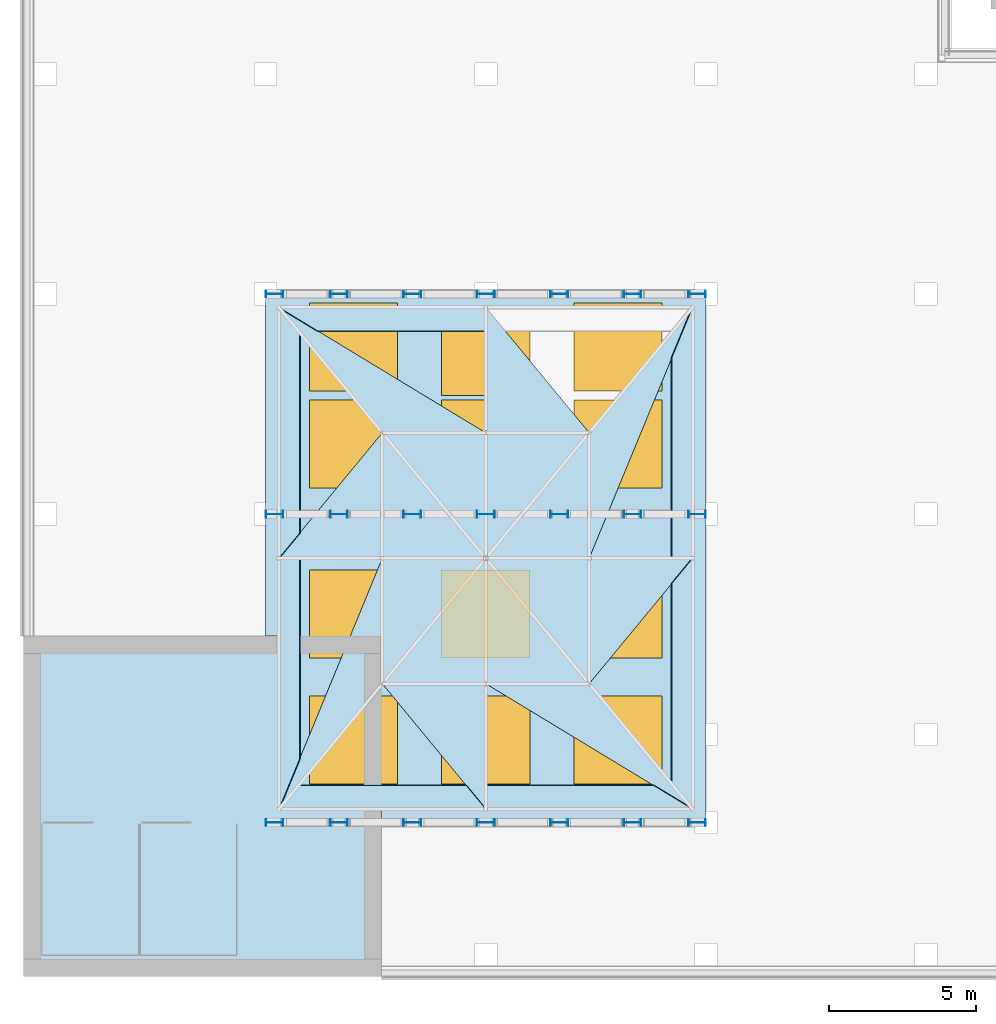
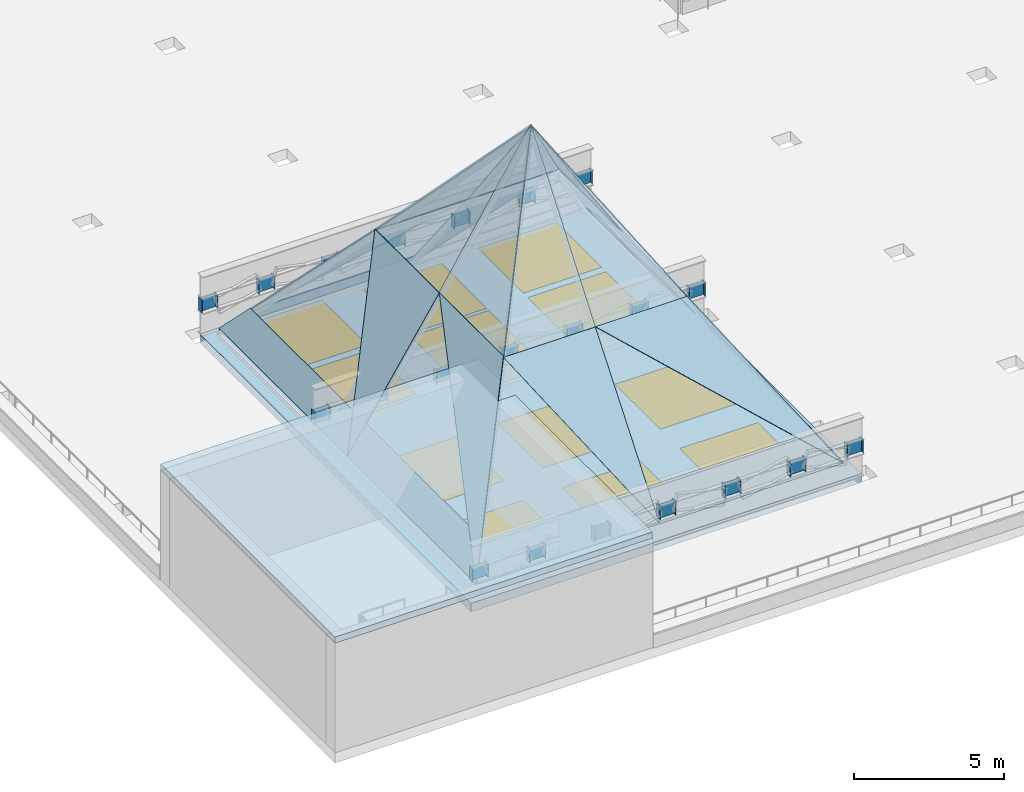
# One storey, part 11 of 35: 30 plates, 21 members, 12 windows, 2 slabs, 12 openings.
"""IFC4 building model written with IfcOpenShell, lengths in metres."""

from ifc_helpers import new_model, si_unit, direction, frame, origin, origin_2d, place, context, subcontext, project, spatial, polyline, rectangle, i_section, outline, extrude, material, layer, layer_set, material_profile, profile_set, type_object, element, fill, save


model = new_model("IFC4")

# Units and contexts
model_context = context("Model", 3, precision=1e-05, world=origin(), true_north=direction((0.0, 1.0)))
body_context = subcontext(model_context, "Body", "Model", "MODEL_VIEW")
ifc_project = project(units=[si_unit("LENGTHUNIT", "METRE"), si_unit("AREAUNIT", "SQUARE_METRE"), si_unit("VOLUMEUNIT", "CUBIC_METRE"), si_unit("PLANEANGLEUNIT", "RADIAN"), si_unit("MASSUNIT", "GRAM", prefix="KILO")], contexts=[model_context])

# Site, building, storey
site_placement = place(None, origin())
site = spatial("IfcSite", under=ifc_project, at=site_placement, CompositionType="ELEMENT")
building_placement = place(site_placement, origin())
building = spatial("IfcBuilding", under=site, at=building_placement, Name="Tessera Arch", CompositionType="ELEMENT")
storey_placement = place(building_placement, frame((0.0, 0.0, 26.0)))
storey = spatial("IfcBuildingStorey", under=building, at=storey_placement, Name="L04", CompositionType="ELEMENT", Elevation=26.0)

# Members
ifc_material_1 = material(Name="Steel A992 Gr50", Category="steel")
ifc_material_profile = material_profile(ifc_material_1, i_section(OverallWidth=0.228271484375, OverallDepth=0.607177734375, WebThickness=0.01123046875, FlangeThickness=0.017333984375, at=origin_2d()), Name="W24x76")
ifc_profile_set = profile_set([ifc_material_profile], Name="Steel A992 Gr50")
member_type = type_object("IfcMemberType", Name="Museum truss post W24x76 Steel A992 Gr50", PredefinedType="POST", material=ifc_profile_set)
for number, where, z_axis, x_axis, name in (
    (1, (-23.99658203125, -27.300048828125, 0.927001953125), (0.0, 0.0, 1.0), (0.0, 1.0, 0.0), "Museum truss A1 post 1"),
    (2, (-21.800048828125, -27.300048828125, 0.927001953125), (0.0, 0.0, 1.0), (0.0, 1.0, 0.0), "Museum truss A1 post 2"),
    (3, (-19.300048828125, -27.300048828125, 0.927001953125), (0.0, 0.0, 1.0), (0.0, 1.0, 0.0), "Museum truss A1 post 3"),
    (4, (-16.800048828125, -27.300048828125, 0.927001953125), (0.0, 0.0, 1.0), (0.0, 1.0, 0.0), "Museum truss A1 post 4"),
    (5, (-14.300048828125, -27.300048828125, 0.927001953125), (0.0, 0.0, 1.0), (0.0, 1.0, 0.0), "Museum truss A1 post 5"),
    (6, (-11.800048828125, -27.300048828125, 0.927001953125), (0.0, 0.0, 1.0), (0.0, 1.0, 0.0), "Museum truss A1 post 6"),
    (7, (-9.603515625, -27.300048828125, 0.927001953125), (0.0, 0.0, 1.0), (0.0, 1.0, 0.0), "Museum truss A1 post 7"),
    (8, (-23.99658203125, -16.800048828125, 0.927001953125), (0.0, 0.0, 1.0), (0.0, 1.0, 0.0), "Museum truss A2 post 1"),
    (9, (-21.800048828125, -16.800048828125, 0.927001953125), (0.0, 0.0, 1.0), (0.0, 1.0, 0.0), "Museum truss A2 post 2"),
    (10, (-19.300048828125, -16.800048828125, 0.927001953125), (0.0, 0.0, 1.0), (0.0, 1.0, 0.0), "Museum truss A2 post 3"),
    (11, (-16.800048828125, -16.800048828125, 0.927001953125), (0.0, 0.0, 1.0), (0.0, 1.0, 0.0), "Museum truss A2 post 4"),
    (12, (-14.300048828125, -16.800048828125, 0.927001953125), (0.0, 0.0, 1.0), (0.0, 1.0, 0.0), "Museum truss A2 post 5"),
    (13, (-11.800048828125, -16.800048828125, 0.927001953125), (0.0, 0.0, 1.0), (0.0, 1.0, 0.0), "Museum truss A2 post 6"),
    (14, (-9.603515625, -16.800048828125, 0.927001953125), (0.0, 0.0, 1.0), (0.0, 1.0, 0.0), "Museum truss A2 post 7"),
    (15, (-23.99658203125, -9.300048828125, 0.927001953125), (0.0, 0.0, 1.0), (0.0, 1.0, 0.0), "Museum truss A3 post 1"),
    (16, (-21.800048828125, -9.300048828125, 0.927001953125), (0.0, 0.0, 1.0), (0.0, 1.0, 0.0), "Museum truss A3 post 2"),
    (17, (-19.300048828125, -9.300048828125, 0.927001953125), (0.0, 0.0, 1.0), (0.0, 1.0, 0.0), "Museum truss A3 post 3"),
    (18, (-16.800048828125, -9.300048828125, 0.927001953125), (0.0, 0.0, 1.0), (0.0, 1.0, 0.0), "Museum truss A3 post 4"),
    (19, (-14.300048828125, -9.300048828125, 0.927001953125), (0.0, 0.0, 1.0), (0.0, 1.0, 0.0), "Museum truss A3 post 5"),
    (20, (-11.800048828125, -9.300048828125, 0.927001953125), (0.0, 0.0, 1.0), (0.0, 1.0, 0.0), "Museum truss A3 post 6"),
    (21, (-9.603515625, -9.300048828125, 0.927001953125), (0.0, 0.0, 1.0), (0.0, 1.0, 0.0), "Museum truss A3 post 7"),
):
    element("IfcMember", number, at=place(storey_placement, frame(where, z_axis=z_axis, x_axis=x_axis)), inside=storey, type_object=member_type, Name=name, PredefinedType="POST", context=body_context, shape_type="SweptSolid", body=[
        extrude(i_section(OverallWidth=0.228271484375, OverallDepth=0.607177734375, WebThickness=0.01123046875, FlangeThickness=0.017333984375, at=origin_2d()), origin(), (0.0, 0.0, 1.0), 0.5458984375),
    ])

# Slab
ifc_material_2 = material(Name="Concrete C40/50", Category="concrete")
ifc_layer_1 = layer(ifc_material_2, 0.25)
ifc_layer_set_1 = layer_set([ifc_layer_1], Name="Museum core roof slab 250 Concrete C40/50")
slab_type_1 = type_object("IfcSlabType", Name="Museum core roof slab 250 Concrete C40/50", PredefinedType="ROOF", material=ifc_layer_set_1)
slab_1_placement = place(storey_placement, frame((0.0, 0.0, 4.449951171875)))
element("IfcSlab", 22, at=slab_1_placement, inside=storey, type_object=slab_type_1, Name="Museum core roof slab M2", PredefinedType="ROOF", context=body_context, shape_type="SweptSolid", body=[
    extrude(outline(polyline([(-32.550048828125, -32.550048828125), (-20.35009765625, -32.550048828125), (-20.35009765625, -20.949951171875), (-32.550048828125, -20.949951171875), (-32.550048828125, -32.550048828125)])), origin(), (0.0, 0.0, 1.0), 0.25),
])

# Slab, openings, windows
ifc_material_3 = material(Name="Concrete C40/50", Category="concrete")
ifc_layer_2 = layer(ifc_material_3, 0.35009765625)
ifc_layer_set_2 = layer_set([ifc_layer_2], Name="Museum rooflight deck")
slab_type_2 = type_object("IfcSlabType", Name="Museum rooflight deck", PredefinedType="ROOF", material=ifc_layer_set_2)
slab_2_placement = place(storey_placement, frame((0.0, 0.0, -0.35009765625)))
slab_2 = element("IfcSlab", 23, at=slab_2_placement, inside=storey, type_object=slab_type_2, Name="Atrium rooflight deck", PredefinedType="ROOF", context=body_context, shape_type="SweptSolid", body=[
    extrude(outline(polyline([(-24.300048828125, -27.300048828125), (-9.300048828125, -27.300048828125), (-9.300048828125, -9.300048828125), (-24.300048828125, -9.300048828125), (-24.300048828125, -27.300048828125)])), origin(), (0.0, 0.0, 1.0), 0.35009765625),
])
opening_1_placement = place(slab_2_placement, frame((-21.300048828125, -24.5, 0.0)))
opening_1 = element("IfcOpeningElement", 24, at=opening_1_placement, cuts=slab_2, Name="Opening L04-RLA01", PredefinedType="OPENING", context=body_context, shape_type="SweptSolid", body=[
    extrude(rectangle(XDim=3.0, YDim=3.0, at=origin_2d()), frame((0.0, 0.0, -0.010009765625)), (0.0, 0.0, 1.0), 0.3701171875),
])
opening_2_placement = place(slab_2_placement, frame((-21.300048828125, -20.199951171875, 0.0)))
opening_2 = element("IfcOpeningElement", 25, at=opening_2_placement, cuts=slab_2, Name="Opening L04-RLA02", PredefinedType="OPENING", context=body_context, shape_type="SweptSolid", body=[
    extrude(rectangle(XDim=3.0, YDim=3.0, at=origin_2d()), frame((0.0, 0.0, -0.010009765625)), (0.0, 0.0, 1.0), 0.3701171875),
])
opening_3_placement = place(slab_2_placement, frame((-21.300048828125, -14.39990234375, 0.0)))
opening_3 = element("IfcOpeningElement", 26, at=opening_3_placement, cuts=slab_2, Name="Opening L04-RLA03", PredefinedType="OPENING", context=body_context, shape_type="SweptSolid", body=[
    extrude(rectangle(XDim=3.0, YDim=3.0, at=origin_2d()), frame((0.0, 0.0, -0.010009765625)), (0.0, 0.0, 1.0), 0.3701171875),
])
opening_4_placement = place(slab_2_placement, frame((-21.300048828125, -11.10009765625, 0.0)))
opening_4 = element("IfcOpeningElement", 27, at=opening_4_placement, cuts=slab_2, Name="Opening L04-RLA04", PredefinedType="OPENING", context=body_context, shape_type="SweptSolid", body=[
    extrude(rectangle(XDim=3.0, YDim=3.0, at=origin_2d()), frame((0.0, 0.0, -0.010009765625)), (0.0, 0.0, 1.0), 0.3701171875),
])
opening_5_placement = place(slab_2_placement, frame((-16.800048828125, -24.5, 0.0)))
opening_5 = element("IfcOpeningElement", 28, at=opening_5_placement, cuts=slab_2, Name="Opening L04-RLA05", PredefinedType="OPENING", context=body_context, shape_type="SweptSolid", body=[
    extrude(rectangle(XDim=3.0, YDim=3.0, at=origin_2d()), frame((0.0, 0.0, -0.010009765625)), (0.0, 0.0, 1.0), 0.3701171875),
])
opening_6_placement = place(slab_2_placement, frame((-16.800048828125, -20.199951171875, 0.0)))
opening_6 = element("IfcOpeningElement", 29, at=opening_6_placement, cuts=slab_2, Name="Opening L04-RLA06", PredefinedType="OPENING", context=body_context, shape_type="SweptSolid", body=[
    extrude(rectangle(XDim=3.0, YDim=3.0, at=origin_2d()), frame((0.0, 0.0, -0.010009765625)), (0.0, 0.0, 1.0), 0.3701171875),
])
opening_7_placement = place(slab_2_placement, frame((-16.800048828125, -14.39990234375, 0.0)))
opening_7 = element("IfcOpeningElement", 30, at=opening_7_placement, cuts=slab_2, Name="Opening L04-RLA07", PredefinedType="OPENING", context=body_context, shape_type="SweptSolid", body=[
    extrude(rectangle(XDim=3.0, YDim=3.0, at=origin_2d()), frame((0.0, 0.0, -0.010009765625)), (0.0, 0.0, 1.0), 0.3701171875),
])
opening_8_placement = place(slab_2_placement, frame((-16.800048828125, -11.25, 0.0)))
opening_8 = element("IfcOpeningElement", 31, at=opening_8_placement, cuts=slab_2, Name="Opening L04-RLA08", PredefinedType="OPENING", context=body_context, shape_type="SweptSolid", body=[
    extrude(rectangle(XDim=3.0, YDim=3.0, at=origin_2d()), frame((0.0, 0.0, -0.010009765625)), (0.0, 0.0, 1.0), 0.3701171875),
])
opening_9_placement = place(slab_2_placement, frame((-12.300048828125, -24.5, 0.0)))
opening_9 = element("IfcOpeningElement", 32, at=opening_9_placement, cuts=slab_2, Name="Opening L04-RLA09", PredefinedType="OPENING", context=body_context, shape_type="SweptSolid", body=[
    extrude(rectangle(XDim=3.0, YDim=3.0, at=origin_2d()), frame((0.0, 0.0, -0.010009765625)), (0.0, 0.0, 1.0), 0.3701171875),
])
opening_10_placement = place(slab_2_placement, frame((-12.300048828125, -20.199951171875, 0.0)))
opening_10 = element("IfcOpeningElement", 33, at=opening_10_placement, cuts=slab_2, Name="Opening L04-RLA10", PredefinedType="OPENING", context=body_context, shape_type="SweptSolid", body=[
    extrude(rectangle(XDim=3.0, YDim=3.0, at=origin_2d()), frame((0.0, 0.0, -0.010009765625)), (0.0, 0.0, 1.0), 0.3701171875),
])
opening_11_placement = place(slab_2_placement, frame((-12.300048828125, -14.39990234375, 0.0)))
opening_11 = element("IfcOpeningElement", 34, at=opening_11_placement, cuts=slab_2, Name="Opening L04-RLA11", PredefinedType="OPENING", context=body_context, shape_type="SweptSolid", body=[
    extrude(rectangle(XDim=3.0, YDim=3.0, at=origin_2d()), frame((0.0, 0.0, -0.010009765625)), (0.0, 0.0, 1.0), 0.3701171875),
])
opening_12_placement = place(slab_2_placement, frame((-12.300048828125, -11.10009765625, 0.0)))
opening_12 = element("IfcOpeningElement", 35, at=opening_12_placement, cuts=slab_2, Name="Opening L04-RLA12", PredefinedType="OPENING", context=body_context, shape_type="SweptSolid", body=[
    extrude(rectangle(XDim=3.0, YDim=3.0, at=origin_2d()), frame((0.0, 0.0, -0.010009765625)), (0.0, 0.0, 1.0), 0.3701171875),
])
ifc_material_4 = material(Name="Clear low-e laminated glass in aluminium frame", Category="aluminium")
window_type = type_object("IfcWindowType", Name="Museum rooflight", PartitioningType="SINGLE_PANEL", PredefinedType="SKYLIGHT", material=ifc_material_4)
window_1_placement = place(opening_1_placement, frame((0.0, 0.0, 0.300048828125)))
window_1 = element("IfcWindow", 36, at=window_1_placement, inside=storey, type_object=window_type, Name="Rooflight atrium 1", OverallHeight=3.0, OverallWidth=3.0, PartitioningType="SINGLE_PANEL", PredefinedType="SKYLIGHT", context=body_context, shape_type="SweptSolid", body=[
    extrude(rectangle(XDim=3.0, YDim=3.0, at=origin_2d()), origin(), (0.0, 0.0, 1.0), 0.050048828125),
])
fill(opening_1, window_1)
window_2_placement = place(opening_2_placement, frame((0.0, 0.0, 0.300048828125)))
window_2 = element("IfcWindow", 37, at=window_2_placement, inside=storey, type_object=window_type, Name="Rooflight atrium 2", OverallHeight=3.0, OverallWidth=3.0, PartitioningType="SINGLE_PANEL", PredefinedType="SKYLIGHT", context=body_context, shape_type="SweptSolid", body=[
    extrude(rectangle(XDim=3.0, YDim=3.0, at=origin_2d()), origin(), (0.0, 0.0, 1.0), 0.050048828125),
])
fill(opening_2, window_2)
window_3_placement = place(opening_3_placement, frame((0.0, 0.0, 0.300048828125)))
window_3 = element("IfcWindow", 38, at=window_3_placement, inside=storey, type_object=window_type, Name="Rooflight atrium 3", OverallHeight=3.0, OverallWidth=3.0, PartitioningType="SINGLE_PANEL", PredefinedType="SKYLIGHT", context=body_context, shape_type="SweptSolid", body=[
    extrude(rectangle(XDim=3.0, YDim=3.0, at=origin_2d()), origin(), (0.0, 0.0, 1.0), 0.050048828125),
])
fill(opening_3, window_3)
window_4_placement = place(opening_4_placement, frame((0.0, 0.0, 0.300048828125)))
window_4 = element("IfcWindow", 39, at=window_4_placement, inside=storey, type_object=window_type, Name="Rooflight atrium 4", OverallHeight=3.0, OverallWidth=3.0, PartitioningType="SINGLE_PANEL", PredefinedType="SKYLIGHT", context=body_context, shape_type="SweptSolid", body=[
    extrude(rectangle(XDim=3.0, YDim=3.0, at=origin_2d()), origin(), (0.0, 0.0, 1.0), 0.050048828125),
])
fill(opening_4, window_4)
window_5_placement = place(opening_5_placement, frame((0.0, 0.0, 0.300048828125)))
window_5 = element("IfcWindow", 40, at=window_5_placement, inside=storey, type_object=window_type, Name="Rooflight atrium 5", OverallHeight=3.0, OverallWidth=3.0, PartitioningType="SINGLE_PANEL", PredefinedType="SKYLIGHT", context=body_context, shape_type="SweptSolid", body=[
    extrude(rectangle(XDim=3.0, YDim=3.0, at=origin_2d()), origin(), (0.0, 0.0, 1.0), 0.050048828125),
])
fill(opening_5, window_5)
window_6_placement = place(opening_6_placement, frame((0.0, 0.0, 0.300048828125)))
window_6 = element("IfcWindow", 41, at=window_6_placement, inside=storey, type_object=window_type, Name="Rooflight atrium 6", OverallHeight=3.0, OverallWidth=3.0, PartitioningType="SINGLE_PANEL", PredefinedType="SKYLIGHT", context=body_context, shape_type="SweptSolid", body=[
    extrude(rectangle(XDim=3.0, YDim=3.0, at=origin_2d()), origin(), (0.0, 0.0, 1.0), 0.050048828125),
])
fill(opening_6, window_6)
window_7_placement = place(opening_7_placement, frame((0.0, 0.0, 0.300048828125)))
window_7 = element("IfcWindow", 42, at=window_7_placement, inside=storey, type_object=window_type, Name="Rooflight atrium 7", OverallHeight=3.0, OverallWidth=3.0, PartitioningType="SINGLE_PANEL", PredefinedType="SKYLIGHT", context=body_context, shape_type="SweptSolid", body=[
    extrude(rectangle(XDim=3.0, YDim=3.0, at=origin_2d()), origin(), (0.0, 0.0, 1.0), 0.050048828125),
])
fill(opening_7, window_7)
window_8_placement = place(opening_8_placement, frame((0.0, 0.0, 0.300048828125)))
window_8 = element("IfcWindow", 43, at=window_8_placement, inside=storey, type_object=window_type, Name="Rooflight atrium 8", OverallHeight=3.0, OverallWidth=3.0, PartitioningType="SINGLE_PANEL", PredefinedType="SKYLIGHT", context=body_context, shape_type="SweptSolid", body=[
    extrude(rectangle(XDim=3.0, YDim=3.0, at=origin_2d()), origin(), (0.0, 0.0, 1.0), 0.050048828125),
])
fill(opening_8, window_8)
window_9_placement = place(opening_9_placement, frame((0.0, 0.0, 0.300048828125)))
window_9 = element("IfcWindow", 44, at=window_9_placement, inside=storey, type_object=window_type, Name="Rooflight atrium 9", OverallHeight=3.0, OverallWidth=3.0, PartitioningType="SINGLE_PANEL", PredefinedType="SKYLIGHT", context=body_context, shape_type="SweptSolid", body=[
    extrude(rectangle(XDim=3.0, YDim=3.0, at=origin_2d()), origin(), (0.0, 0.0, 1.0), 0.050048828125),
])
fill(opening_9, window_9)
window_10_placement = place(opening_10_placement, frame((0.0, 0.0, 0.300048828125)))
window_10 = element("IfcWindow", 45, at=window_10_placement, inside=storey, type_object=window_type, Name="Rooflight atrium 10", OverallHeight=3.0, OverallWidth=3.0, PartitioningType="SINGLE_PANEL", PredefinedType="SKYLIGHT", context=body_context, shape_type="SweptSolid", body=[
    extrude(rectangle(XDim=3.0, YDim=3.0, at=origin_2d()), origin(), (0.0, 0.0, 1.0), 0.050048828125),
])
fill(opening_10, window_10)
window_11_placement = place(opening_11_placement, frame((0.0, 0.0, 0.300048828125)))
window_11 = element("IfcWindow", 46, at=window_11_placement, inside=storey, type_object=window_type, Name="Rooflight atrium 11", OverallHeight=3.0, OverallWidth=3.0, PartitioningType="SINGLE_PANEL", PredefinedType="SKYLIGHT", context=body_context, shape_type="SweptSolid", body=[
    extrude(rectangle(XDim=3.0, YDim=3.0, at=origin_2d()), origin(), (0.0, 0.0, 1.0), 0.050048828125),
])
fill(opening_11, window_11)
window_12_placement = place(opening_12_placement, frame((0.0, 0.0, 0.300048828125)))
window_12 = element("IfcWindow", 47, at=window_12_placement, inside=storey, type_object=window_type, Name="Rooflight atrium 12", OverallHeight=3.0, OverallWidth=3.0, PartitioningType="SINGLE_PANEL", PredefinedType="SKYLIGHT", context=body_context, shape_type="SweptSolid", body=[
    extrude(rectangle(XDim=3.0, YDim=3.0, at=origin_2d()), origin(), (0.0, 0.0, 1.0), 0.050048828125),
])
fill(opening_12, window_12)

# Plates
ifc_material_5 = material(Name="Clear low-e laminated glass", Category="glass")
ifc_layer_3 = layer(ifc_material_5, 0.031982421875)
ifc_layer_set_3 = layer_set([ifc_layer_3], Name="Roof glass facet")
plate_type_1 = type_object("IfcPlateType", Name="Roof glass facet", PredefinedType="SHEET", material=ifc_layer_set_3)
plate_1_placement = place(storey_placement, frame((-23.184814453125, -26.043212890625, 1.358642578125), z_axis=(0.0, -0.784038736434, 0.620711897558), x_axis=(1.0, 0.0, 0.0)))
element("IfcPlate", 48, at=plate_1_placement, inside=storey, type_object=plate_type_1, Name="Atrium roof facet 1A", PredefinedType="SHEET", context=body_context, shape_type="SweptSolid", body=[
    extrude(outline(polyline([(0.0, 0.0), (5.719482421875, 0.0), (2.85986328125, 5.587554761545706), (0.0, 0.0)])), origin(), (0.0, 0.0, -1.0), 0.031982421875),
])
plate_2_placement = place(storey_placement, frame((-16.800048828125, -26.85009765625, 0.327392578125), z_axis=(0.0, -0.78403001087, 0.620722918905), x_axis=(0.0, 0.620722918905, 0.78403001087)))
element("IfcPlate", 49, at=plate_2_placement, inside=storey, type_object=plate_type_1, Name="Atrium roof facet 1B", PredefinedType="SHEET", context=body_context, shape_type="SweptSolid", body=[
    extrude(outline(polyline([(0.0, 0.0), (6.887366897799236, 0.0), (6.887366897799236, 3.5249023437499996), (0.0, 0.0)])), origin(), (0.0, 0.0, -1.0), 0.031982421875),
])
plate_3_placement = place(storey_placement, frame((-20.324951171875, -22.574951171875, 5.72998046875), z_axis=(0.0, -0.794872955254, 0.606775893561), x_axis=(1.0, 0.0, 0.0)))
element("IfcPlate", 50, at=plate_3_placement, inside=storey, type_object=plate_type_1, Name="Atrium roof facet 1C", PredefinedType="SHEET", context=body_context, shape_type="SweptSolid", body=[
    extrude(outline(polyline([(0.0, 0.0), (3.52490234375, 0.0), (3.52490234375, 7.045273863245914), (0.0, 0.0)])), origin(), (0.0, 0.0, -1.0), 0.031982421875),
])
plate_4_placement = place(storey_placement, frame((-16.800048828125, -26.043212890625, 1.34423828125), z_axis=(0.0, -0.78402190114, 0.620733162102), x_axis=(1.0, 0.0, 0.0)))
element("IfcPlate", 51, at=plate_4_placement, inside=storey, type_object=plate_type_1, Name="Atrium roof facet 2A", PredefinedType="SHEET", context=body_context, shape_type="SweptSolid", body=[
    extrude(outline(polyline([(0.0, 0.0), (5.71923828125, 0.0), (0.0, 5.587363347893623), (0.0, 0.0)])), origin(), (0.0, 0.0, -1.0), 0.031982421875),
])
plate_5_placement = place(storey_placement, frame((-9.75, -26.85009765625, 0.33935546875), z_axis=(0.0, -0.784043668153, 0.620705668114), x_axis=(-0.455581850345, 0.552548398767, 0.69795088986)))
element("IfcPlate", 52, at=plate_5_placement, inside=storey, type_object=plate_type_1, Name="Atrium roof facet 2B", PredefinedType="SHEET", context=body_context, shape_type="SweptSolid", body=[
    extrude(outline(polyline([(0.0, 0.0), (7.737143920630263, -4.440892098500626e-16), (9.343136678720683, 3.1380638931134825), (0.0, 0.0)])), origin(), (0.0, 0.0, -1.0), 0.031982421875),
])
plate_6_placement = place(storey_placement, frame((-16.800048828125, -22.574951171875, 5.72998046875), z_axis=(0.0, -0.794872955254, 0.606775893561), x_axis=(1.0, 0.0, 0.0)))
element("IfcPlate", 53, at=plate_6_placement, inside=storey, type_object=plate_type_1, Name="Atrium roof facet 2C", PredefinedType="SHEET", context=body_context, shape_type="SweptSolid", body=[
    extrude(outline(polyline([(0.0, 0.0), (3.525146484375, 0.0), (0.0, 7.045273863245914), (0.0, 0.0)])), origin(), (0.0, 0.0, -1.0), 0.031982421875),
])
plate_7_placement = place(storey_placement, frame((-10.460693359375, -25.98828125, 1.457763671875), z_axis=(0.837387892763, 0.0, 0.546609108097), x_axis=(0.0, 1.0, 0.0)))
element("IfcPlate", 54, at=plate_7_placement, inside=storey, type_object=plate_type_1, Name="Atrium roof facet 3A", PredefinedType="SHEET", context=body_context, shape_type="SweptSolid", body=[
    extrude(outline(polyline([(0.0, 0.0), (6.826416015625, 0.0), (3.413330078125, 5.148485348469), (0.0, 0.0)])), origin(), (0.0, 0.0, -1.0), 0.031982421875),
])
plate_8_placement = place(storey_placement, frame((-9.75, -18.300048828125, 0.3505859375), z_axis=(0.837381557242, 0.0, 0.546618813792), x_axis=(-0.546618813792, 0.0, 0.837381557242)))
element("IfcPlate", 55, at=plate_8_placement, inside=storey, type_object=plate_type_1, Name="Atrium roof facet 3B", PredefinedType="SHEET", context=body_context, shape_type="SweptSolid", body=[
    extrude(outline(polyline([(0.0, 0.0), (6.448556571436045, 0.0), (6.448556571436045, 4.274902343750001), (0.0, 0.0)])), origin(), (0.0, 0.0, -1.0), 0.031982421875),
])
plate_9_placement = place(storey_placement, frame((-13.27490234375, -22.574951171875, 5.77587890625), z_axis=(0.846279663357, 0.0, 0.532738896072), x_axis=(0.0, 1.0, 0.0)))
element("IfcPlate", 56, at=plate_9_placement, inside=storey, type_object=plate_type_1, Name="Atrium roof facet 3C", PredefinedType="SHEET", context=body_context, shape_type="SweptSolid", body=[
    extrude(outline(polyline([(0.0, 0.0), (4.27490234375, 0.0), (4.27490234375, 6.617024794630824), (0.0, 0.0)])), origin(), (0.0, 0.0, -1.0), 0.031982421875),
])
plate_10_placement = place(storey_placement, frame((-10.460693359375, -18.300048828125, 1.441162109375), z_axis=(0.837402060107, 0.0, 0.546587403559), x_axis=(0.0, 1.0, 0.0)))
element("IfcPlate", 57, at=plate_10_placement, inside=storey, type_object=plate_type_1, Name="Atrium roof facet 4A", PredefinedType="SHEET", context=body_context, shape_type="SweptSolid", body=[
    extrude(outline(polyline([(0.0, 0.0), (6.826416015625, 0.0), (0.0, 5.148689790601953), (0.0, 0.0)])), origin(), (0.0, 0.0, -1.0), 0.031982421875),
])
plate_11_placement = place(storey_placement, frame((-9.75, -9.75, 0.369140625), z_axis=(0.837381557242, 0.0, 0.546618813792), x_axis=(-0.455599827626, -0.552538646746, 0.697946875428)))
element("IfcPlate", 58, at=plate_11_placement, inside=storey, type_object=plate_type_1, Name="Atrium roof facet 4B", PredefinedType="SHEET", context=body_context, shape_type="SweptSolid", body=[
    extrude(outline(polyline([(0.0, 0.0), (7.736838624632817, 0.0), (10.099022277752066, 3.5632802095541294), (0.0, 0.0)])), origin(), (0.0, 0.0, -1.0), 0.031982421875),
])
plate_12_placement = place(storey_placement, frame((-13.27490234375, -18.300048828125, 5.77587890625), z_axis=(0.846279663357, 0.0, 0.532738896072), x_axis=(0.0, 1.0, 0.0)))
element("IfcPlate", 59, at=plate_12_placement, inside=storey, type_object=plate_type_1, Name="Atrium roof facet 4C", PredefinedType="SHEET", context=body_context, shape_type="SweptSolid", body=[
    extrude(outline(polyline([(0.0, 0.0), (4.275146484375, 0.0), (0.0, 6.617024794630824), (0.0, 0.0)])), origin(), (0.0, 0.0, -1.0), 0.031982421875),
])
plate_13_placement = place(storey_placement, frame((-16.800048828125, -9.75, 0.327392578125), z_axis=(0.0, 0.784047262067, 0.620701128438), x_axis=(0.0, -0.620701128438, 0.784047262067)))
element("IfcPlate", 60, at=plate_13_placement, inside=storey, type_object=plate_type_1, Name="Atrium roof facet 5B", PredefinedType="SHEET", context=body_context, shape_type="SweptSolid", body=[
    extrude(outline(polyline([(0.0, 0.0), (6.887215356777801, 0.0), (6.887215356777801, 3.525146484375), (0.0, 0.0)])), origin(), (0.0, 0.0, -1.0), 0.031982421875),
])
plate_14_placement = place(storey_placement, frame((-13.27490234375, -14.02490234375, 5.72998046875), z_axis=(0.0, 0.794856241773, 0.6067977875), x_axis=(-1.0, 0.0, 0.0)))
element("IfcPlate", 61, at=plate_14_placement, inside=storey, type_object=plate_type_1, Name="Atrium roof facet 5C", PredefinedType="SHEET", context=body_context, shape_type="SweptSolid", body=[
    extrude(outline(polyline([(0.0, 0.0), (3.525146484375, 0.0), (3.525146484375, 7.04542200456443), (0.0, 0.0)])), origin(), (0.0, 0.0, -1.0), 0.031982421875),
])
plate_15_placement = place(storey_placement, frame((-16.800048828125, -10.556884765625, 1.34423828125), z_axis=(0.0, 0.7840431663, 0.620706302028), x_axis=(-1.0, 0.0, 0.0)))
element("IfcPlate", 62, at=plate_15_placement, inside=storey, type_object=plate_type_1, Name="Atrium roof facet 6A", PredefinedType="SHEET", context=body_context, shape_type="SweptSolid", body=[
    extrude(outline(polyline([(0.0, 0.0), (5.71923828125, 0.0), (0.0, 5.587211804990242), (0.0, 0.0)])), origin(), (0.0, 0.0, -1.0), 0.031982421875),
])
plate_16_placement = place(storey_placement, frame((-23.85009765625, -9.75, 0.33935546875), z_axis=(0.0, 0.784060918691, 0.620683877494), x_axis=(0.455614798307, -0.55251853441, 0.697953024707)))
element("IfcPlate", 63, at=plate_16_placement, inside=storey, type_object=plate_type_1, Name="Atrium roof facet 6B", PredefinedType="SHEET", context=body_context, shape_type="SweptSolid", body=[
    extrude(outline(polyline([(0.0, 0.0), (7.7371202548240365, -2.220446049250313e-16), (9.343117925221897, 3.13778712083068), (0.0, 0.0)])), origin(), (0.0, 0.0, -1.0), 0.031982421875),
])
plate_17_placement = place(storey_placement, frame((-16.800048828125, -14.02490234375, 5.72998046875), z_axis=(0.0, 0.794856241773, 0.6067977875), x_axis=(-1.0, 0.0, 0.0)))
element("IfcPlate", 64, at=plate_17_placement, inside=storey, type_object=plate_type_1, Name="Atrium roof facet 6C", PredefinedType="SHEET", context=body_context, shape_type="SweptSolid", body=[
    extrude(outline(polyline([(0.0, 0.0), (3.52490234375, 0.0), (0.0, 7.04542200456443), (0.0, 0.0)])), origin(), (0.0, 0.0, -1.0), 0.031982421875),
])
plate_18_placement = place(storey_placement, frame((-23.139404296875, -10.61181640625, 1.457763671875), z_axis=(-0.837366187449, 0.0, 0.546642358509), x_axis=(0.0, -1.0, 0.0)))
element("IfcPlate", 65, at=plate_18_placement, inside=storey, type_object=plate_type_1, Name="Atrium roof facet 7A", PredefinedType="SHEET", context=body_context, shape_type="SweptSolid", body=[
    extrude(outline(polyline([(0.0, 0.0), (6.826416015625, 0.0), (3.4130859375, 5.148618802017222), (0.0, 0.0)])), origin(), (0.0, 0.0, -1.0), 0.031982421875),
])
plate_19_placement = place(storey_placement, frame((-23.85009765625, -18.300048828125, 0.3505859375), z_axis=(-0.837364227701, 0.0, 0.54664536051), x_axis=(0.54664536051, 0.0, 0.837364227701)))
element("IfcPlate", 66, at=plate_19_placement, inside=storey, type_object=plate_type_1, Name="Atrium roof facet 7B", PredefinedType="SHEET", context=body_context, shape_type="SweptSolid", body=[
    extrude(outline(polyline([(0.0, 0.0), (6.44869002653548, 0.0), (6.44869002653548, 4.275146484375), (0.0, 0.0)])), origin(), (0.0, 0.0, -1.0), 0.031982421875),
])
plate_20_placement = place(storey_placement, frame((-20.324951171875, -14.02490234375, 5.77587890625), z_axis=(-0.846296297612, 0.0, 0.532712470895), x_axis=(0.0, -1.0, 0.0)))
element("IfcPlate", 67, at=plate_20_placement, inside=storey, type_object=plate_type_1, Name="Atrium roof facet 7C", PredefinedType="SHEET", context=body_context, shape_type="SweptSolid", body=[
    extrude(outline(polyline([(0.0, 0.0), (4.275146484375, 0.0), (4.275146484375, 6.616894734649472), (0.0, 0.0)])), origin(), (0.0, 0.0, -1.0), 0.031982421875),
])
plate_21_placement = place(storey_placement, frame((-23.139404296875, -18.300048828125, 1.441162109375), z_axis=(-0.837380356149, 0.0, 0.546620653776), x_axis=(0.0, -1.0, 0.0)))
element("IfcPlate", 68, at=plate_21_placement, inside=storey, type_object=plate_type_1, Name="Atrium roof facet 8A", PredefinedType="SHEET", context=body_context, shape_type="SweptSolid", body=[
    extrude(outline(polyline([(0.0, 0.0), (6.826416015625, 0.0), (0.0, 5.148823238851193), (0.0, 0.0)])), origin(), (0.0, 0.0, -1.0), 0.031982421875),
])
plate_22_placement = place(storey_placement, frame((-23.85009765625, -26.85009765625, 0.369140625), z_axis=(-0.837364227701, 0.0, 0.54664536051), x_axis=(0.455616888732, 0.552552624045, 0.697924672413)))
element("IfcPlate", 69, at=plate_22_placement, inside=storey, type_object=plate_type_1, Name="Atrium roof facet 8B", PredefinedType="SHEET", context=body_context, shape_type="SweptSolid", body=[
    extrude(outline(polyline([(0.0, 0.0), (7.737084755978966, 0.0), (10.099193263554291, 3.563037109972267), (0.0, 0.0)])), origin(), (0.0, 0.0, -1.0), 0.031982421875),
])
plate_23_placement = place(storey_placement, frame((-20.324951171875, -18.300048828125, 5.77587890625), z_axis=(-0.846296297612, 0.0, 0.532712470895), x_axis=(0.0, -1.0, 0.0)))
element("IfcPlate", 70, at=plate_23_placement, inside=storey, type_object=plate_type_1, Name="Atrium roof facet 8C", PredefinedType="SHEET", context=body_context, shape_type="SweptSolid", body=[
    extrude(outline(polyline([(0.0, 0.0), (4.27490234375, 0.0), (0.0, 6.616894734649472), (0.0, 0.0)])), origin(), (0.0, 0.0, -1.0), 0.031982421875),
])
ifc_material_6 = material(Name="Aluminium alloy 6063-T6", Category="aluminium")
ifc_layer_4 = layer(ifc_material_6, 0.031982421875)
ifc_layer_set_4 = layer_set([ifc_layer_4], Name="Roof skirt panel")
plate_type_2 = type_object("IfcPlateType", Name="Roof skirt panel", PredefinedType="SHEET", material=ifc_layer_set_4)
plate_24_placement = place(storey_placement, frame((-23.85009765625, -26.85009765625, 0.33935546875), z_axis=(0.0, -0.784064864645, 0.62067889285), x_axis=(1.0, 0.0, 0.0)))
element("IfcPlate", 71, at=plate_24_placement, inside=storey, type_object=plate_type_2, Name="Atrium roof skirt panel 1", PredefinedType="SHEET", context=body_context, shape_type="SweptSolid", body=[
    extrude(outline(polyline([(0.0, 0.0), (7.050048828125, 0.0), (6.384765625, 1.3000035524319749), (0.665283203125, 1.3000035524319749), (0.0, 0.0)])), origin(), (0.0, 0.0, -1.0), 0.031982421875),
])
plate_25_placement = place(storey_placement, frame((-16.800048828125, -26.85009765625, 0.324951171875), z_axis=(0.0, -0.784064864645, 0.62067889285), x_axis=(1.0, 0.0, 0.0)))
element("IfcPlate", 72, at=plate_25_placement, inside=storey, type_object=plate_type_2, Name="Atrium roof skirt panel 2", PredefinedType="SHEET", context=body_context, shape_type="SweptSolid", body=[
    extrude(outline(polyline([(0.0, 0.0), (7.050048828125, 0.0), (5.71923828125, 1.3000035524319749), (0.0, 1.3000035524319749), (0.0, 0.0)])), origin(), (0.0, 0.0, -1.0), 0.031982421875),
])
plate_26_placement = place(storey_placement, frame((-9.75, -26.85009765625, 0.369140625), z_axis=(0.837356466482, 0.0, 0.546657249143), x_axis=(0.0, 1.0, 0.0)))
element("IfcPlate", 73, at=plate_26_placement, inside=storey, type_object=plate_type_2, Name="Atrium roof skirt panel 3", PredefinedType="SHEET", context=body_context, shape_type="SweptSolid", body=[
    extrude(outline(polyline([(0.0, 0.0), (8.550048828125, 0.0), (7.688232421875, 1.3000712246823753), (0.86181640625, 1.3000712246823753), (0.0, 0.0)])), origin(), (0.0, 0.0, -1.0), 0.031982421875),
])
plate_27_placement = place(storey_placement, frame((-9.75, -18.300048828125, 0.3525390625), z_axis=(0.837356466482, 0.0, 0.546657249143), x_axis=(0.0, 1.0, 0.0)))
element("IfcPlate", 74, at=plate_27_placement, inside=storey, type_object=plate_type_2, Name="Atrium roof skirt panel 4", PredefinedType="SHEET", context=body_context, shape_type="SweptSolid", body=[
    extrude(outline(polyline([(0.0, 0.0), (8.550048828125, 0.0), (6.826416015625, 1.3000712246823753), (0.0, 1.3000712246823753), (0.0, 0.0)])), origin(), (0.0, 0.0, -1.0), 0.031982421875),
])
plate_28_placement = place(storey_placement, frame((-16.800048828125, -9.75, 0.324951171875), z_axis=(0.0, 0.784064864645, 0.62067889285), x_axis=(-1.0, 0.0, 0.0)))
element("IfcPlate", 75, at=plate_28_placement, inside=storey, type_object=plate_type_2, Name="Atrium roof skirt panel 6", PredefinedType="SHEET", context=body_context, shape_type="SweptSolid", body=[
    extrude(outline(polyline([(0.0, 0.0), (7.050048828125, 0.0), (5.71923828125, 1.3000035524319749), (0.0, 1.3000035524319749), (0.0, 0.0)])), origin(), (0.0, 0.0, -1.0), 0.031982421875),
])
plate_29_placement = place(storey_placement, frame((-23.85009765625, -9.75, 0.369140625), z_axis=(-0.837356466482, 0.0, 0.546657249143), x_axis=(0.0, -1.0, 0.0)))
element("IfcPlate", 76, at=plate_29_placement, inside=storey, type_object=plate_type_2, Name="Atrium roof skirt panel 7", PredefinedType="SHEET", context=body_context, shape_type="SweptSolid", body=[
    extrude(outline(polyline([(0.0, 0.0), (8.550048828125, 0.0), (7.688232421875, 1.3000712246823753), (0.86181640625, 1.3000712246823753), (0.0, 0.0)])), origin(), (0.0, 0.0, -1.0), 0.031982421875),
])
plate_30_placement = place(storey_placement, frame((-23.85009765625, -18.300048828125, 0.3525390625), z_axis=(-0.837356466482, 0.0, 0.546657249143), x_axis=(0.0, -1.0, 0.0)))
element("IfcPlate", 77, at=plate_30_placement, inside=storey, type_object=plate_type_2, Name="Atrium roof skirt panel 8", PredefinedType="SHEET", context=body_context, shape_type="SweptSolid", body=[
    extrude(outline(polyline([(0.0, 0.0), (8.550048828125, 0.0), (6.826416015625, 1.3000712246823753), (0.0, 1.3000712246823753), (0.0, 0.0)])), origin(), (0.0, 0.0, -1.0), 0.031982421875),
])

save(model, "model.ifc")
